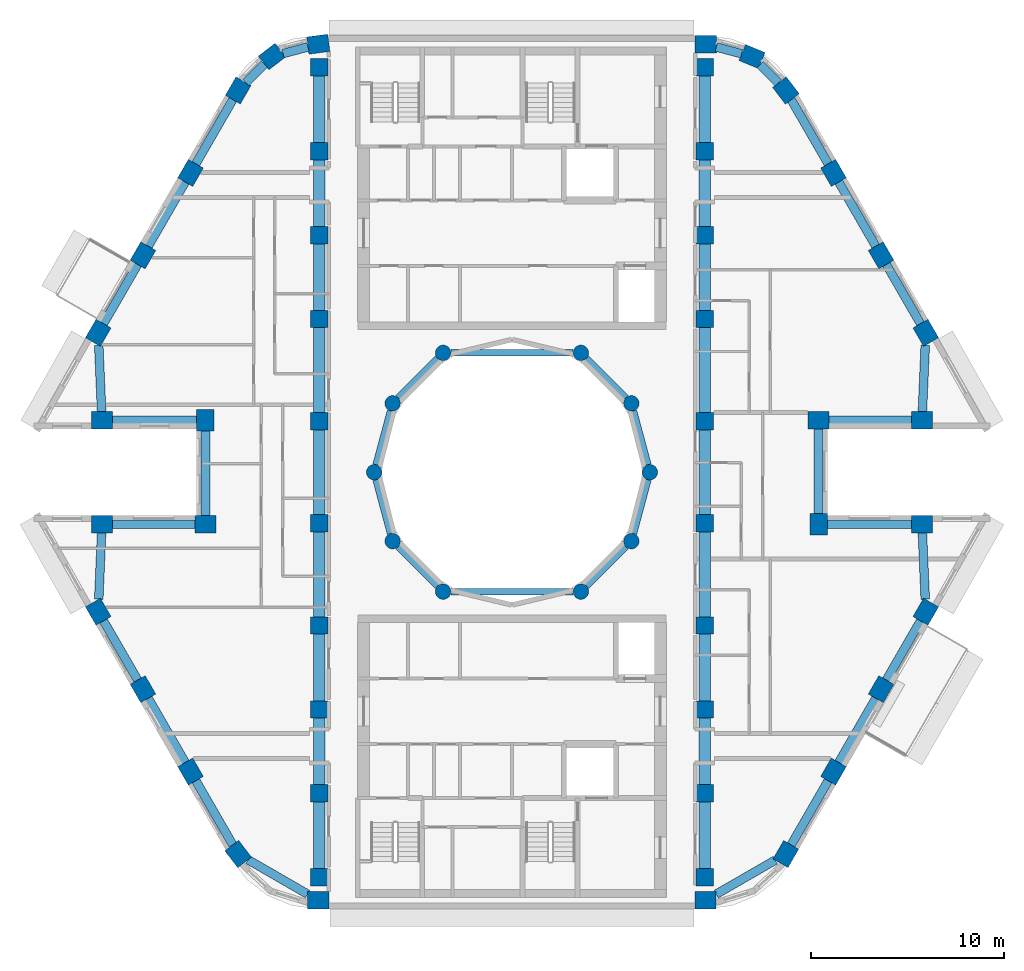
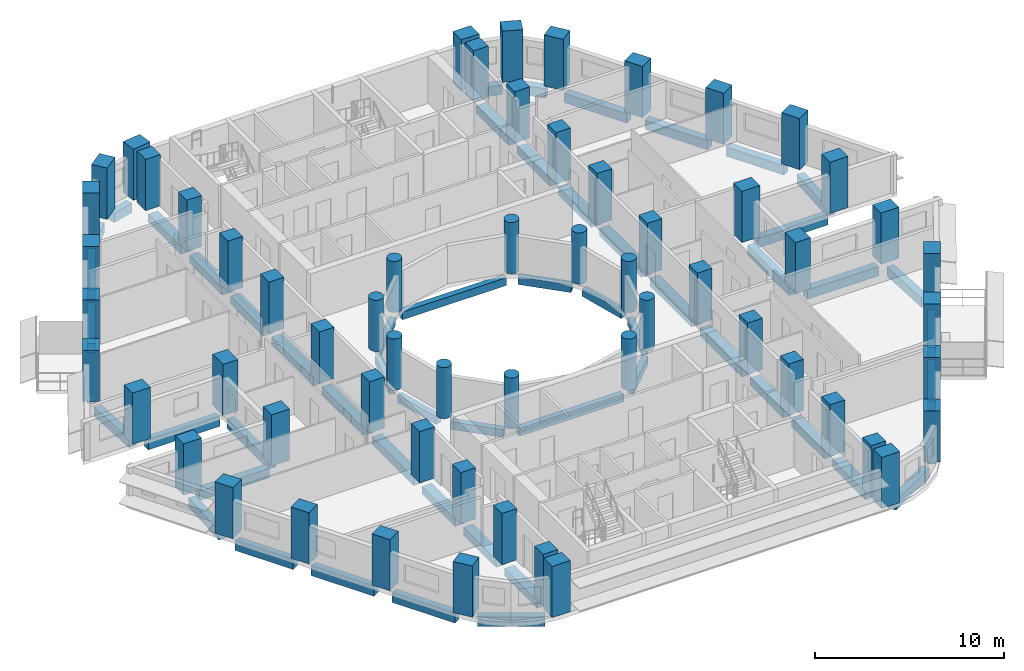
# One storey, part 1 of 14: 60 columns, 56 beams.
"""IFC4 building model written with IfcOpenShell, lengths in metres."""

from ifc_helpers import new_model, si_unit, direction, frame, origin, origin_2d, place, context, subcontext, project, spatial, rectangle, circle, extrude, material, material_profile, profile_set, type_object, element, save


model = new_model("IFC4")

# Units and contexts
model_context = context("Model", 3, precision=1e-05, world=origin(), true_north=direction((0.0, 1.0)))
body_context = subcontext(model_context, "Body", "Model", "MODEL_VIEW")
ifc_project = project(units=[si_unit("LENGTHUNIT", "METRE"), si_unit("AREAUNIT", "SQUARE_METRE"), si_unit("VOLUMEUNIT", "CUBIC_METRE"), si_unit("PLANEANGLEUNIT", "RADIAN"), si_unit("MASSUNIT", "GRAM", prefix="KILO")], contexts=[model_context])

# Site, building, storey
site_placement = place(None, origin())
site = spatial("IfcSite", under=ifc_project, at=site_placement, CompositionType="ELEMENT")
building_placement = place(site_placement, origin())
building = spatial("IfcBuilding", under=site, at=building_placement, Name="Nakaniwa Court", CompositionType="ELEMENT")
storey_placement = place(building_placement, frame((0.0, 0.0, 265.800048828125)))
storey = spatial("IfcBuildingStorey", under=building, at=storey_placement, Name="L70", CompositionType="ELEMENT", Elevation=265.800048828125)

# Columns
ifc_material = material(Name="Concrete C80/100", Category="concrete")
ifc_material_profile_1 = material_profile(ifc_material, rectangle(XDim=1.10009765625, YDim=0.89990234375, at=origin_2d()), Name="Concrete C80/100 RC 1100x900 perimeter column")
ifc_profile_set_1 = profile_set([ifc_material_profile_1], Name="Concrete C80/100")
column_type_1 = type_object("IfcColumnType", Name="Concrete C80/100 RC 1100x900 perimeter column", PredefinedType="COLUMN", material=ifc_profile_set_1)
for number, where, z_axis, x_axis, name in (
    (1, (69.95458984375, 102.199951171875, 0.0), (0.0, 0.0, 1.0), (-0.991442583111, -0.130543496177, 0.0), "COLUMN CO-01"),
    (2, (67.552001953125, 101.560302734375, 0.0), (0.0, 0.0, 1.0), (-0.793363965062, -0.608747582288, 0.0), "COLUMN CO-02"),
    (3, (65.796875, 99.799560546875, 0.0), (0.0, 0.0, 1.0), (-0.5, -0.866025403784, 0.0), "COLUMN CO-03"),
    (4, (63.328857421875, 95.524658203125, 0.0), (0.0, 0.0, 1.0), (-0.5, -0.866025403784, 0.0), "COLUMN CO-04"),
    (5, (60.860595703125, 91.249755859375, 0.0), (0.0, 0.0, 1.0), (-0.5, -0.866025403784, 0.0), "COLUMN CO-05"),
    (6, (58.541015625, 87.232177734375, 0.0), (0.0, 0.0, 1.0), (-0.5, -0.866025403784, 0.0), "COLUMN CO-06"),
    (7, (58.736083984375, 82.699951171875, 0.0), (0.0, 0.0, 1.0), (1.0, 0.0, 0.0), "COLUMN CO-08"),
    (8, (64.1005859375, 82.699951171875, 0.0), (0.0, 0.0, 1.0), (0.0, -1.0, 0.0), "COLUMN CO-09"),
    (9, (64.1005859375, 77.300048828125, 0.0), (0.0, 0.0, 1.0), (-1.0, 0.0, 0.0), "COLUMN CO-10"),
    (10, (58.736083984375, 77.300048828125, 0.0), (0.0, 0.0, 1.0), (-1.0, 0.0, 0.0), "COLUMN CO-11"),
    (11, (58.541015625, 72.767822265625, 0.0), (0.0, 0.0, 1.0), (0.5, -0.866025403784, 0.0), "COLUMN CO-13"),
    (12, (60.860595703125, 68.750244140625, 0.0), (0.0, 0.0, 1.0), (0.5, -0.866025403784, 0.0), "COLUMN CO-14"),
    (13, (63.328857421875, 64.475341796875, 0.0), (0.0, 0.0, 1.0), (0.5, -0.866025403784, 0.0), "COLUMN CO-15"),
    (14, (65.796875, 60.200439453125, 0.0), (0.0, 0.0, 1.0), (0.608761429009, -0.793353340291, 0.0), "COLUMN CO-16"),
    (15, (69.95458984375, 57.800048828125, 0.0), (0.0, 0.0, 1.0), (1.0, 0.0, 0.0), "COLUMN CO-17"),
    (16, (90.03955078125, 57.800048828125, 0.0), (0.0, 0.0, 1.0), (1.0, 0.0, 0.0), "COLUMN CO-21"),
    (17, (94.203125, 60.200439453125, 0.0), (0.0, 0.0, 1.0), (0.5, 0.866025403784, 0.0), "COLUMN CO-22"),
    (18, (96.671142578125, 64.475341796875, 0.0), (0.0, 0.0, 1.0), (0.5, 0.866025403784, 0.0), "COLUMN CO-23"),
    (19, (99.139404296875, 68.750244140625, 0.0), (0.0, 0.0, 1.0), (0.5, 0.866025403784, 0.0), "COLUMN CO-24"),
    (20, (101.458984375, 72.767822265625, 0.0), (0.0, 0.0, 1.0), (0.5, 0.866025403784, 0.0), "COLUMN CO-25"),
    (21, (101.263916015625, 77.300048828125, 0.0), (0.0, 0.0, 1.0), (-1.0, 0.0, 0.0), "COLUMN CO-27"),
    (22, (95.8994140625, 77.300048828125, 0.0), (0.0, 0.0, 1.0), (0.0, 1.0, 0.0), "COLUMN CO-28"),
    (23, (95.8994140625, 82.699951171875, 0.0), (0.0, 0.0, 1.0), (1.0, 0.0, 0.0), "COLUMN CO-29"),
    (24, (101.263916015625, 82.699951171875, 0.0), (0.0, 0.0, 1.0), (1.0, 0.0, 0.0), "COLUMN CO-30"),
    (25, (101.458984375, 87.232177734375, 0.0), (0.0, 0.0, 1.0), (-0.5, 0.866025403784, 0.0), "COLUMN CO-32"),
    (26, (99.139404296875, 91.249755859375, 0.0), (0.0, 0.0, 1.0), (-0.5, 0.866025403784, 0.0), "COLUMN CO-33"),
    (27, (96.671142578125, 95.524658203125, 0.0), (0.0, 0.0, 1.0), (-0.5, 0.866025403784, 0.0), "COLUMN CO-34"),
    (28, (94.203125, 99.799560546875, 0.0), (0.0, 0.0, 1.0), (-0.608761429009, 0.793353340291, 0.0), "COLUMN CO-35"),
    (29, (92.447998046875, 101.560302734375, 0.0), (0.0, 0.0, 1.0), (-0.923879532511, 0.382683432365, 0.0), "COLUMN CO-36"),
    (30, (90.04541015625, 102.199951171875, 0.0), (0.0, 0.0, 1.0), (-1.0, 0.0, 0.0), "COLUMN CO-37"),
):
    element("IfcColumn", number, at=place(storey_placement, frame(where, z_axis=z_axis, x_axis=x_axis)), inside=storey, type_object=column_type_1, Name=name, PredefinedType="COLUMN", context=body_context, shape_type="SweptSolid", body=[
        extrude(rectangle(XDim=1.10009765625, YDim=0.89990234375, at=origin_2d()), origin(), (0.0, 0.0, 1.0), 3.300048828125),
    ])
ifc_material_profile_2 = material_profile(ifc_material, rectangle(XDim=0.89990234375, YDim=0.89990234375, at=origin_2d()), Name="Concrete C80/100 RC 900x900 spine column")
ifc_profile_set_2 = profile_set([ifc_material_profile_2], Name="Concrete C80/100")
column_type_2 = type_object("IfcColumnType", Name="Concrete C80/100 RC 900x900 spine column", PredefinedType="COLUMN", material=ifc_profile_set_2)
for number, where, z_axis, x_axis, name in (
    (31, (90.0, 59.0, 0.0), (0.0, 0.0, 1.0), (0.0, 1.0, 0.0), "COLUMN CS-01"),
    (32, (90.0, 63.35009765625, 0.0), (0.0, 0.0, 1.0), (0.0, 1.0, 0.0), "COLUMN CS-02"),
    (33, (90.0, 67.699951171875, 0.0), (0.0, 0.0, 1.0), (0.0, 1.0, 0.0), "COLUMN CS-03"),
    (34, (90.0, 72.050048828125, 0.0), (0.0, 0.0, 1.0), (0.0, 1.0, 0.0), "COLUMN CS-04"),
    (35, (90.0, 77.35009765625, 0.0), (0.0, 0.0, 1.0), (0.0, 1.0, 0.0), "COLUMN CS-05"),
    (36, (90.0, 82.64990234375, 0.0), (0.0, 0.0, 1.0), (0.0, 1.0, 0.0), "COLUMN CS-06"),
    (37, (90.0, 87.949951171875, 0.0), (0.0, 0.0, 1.0), (0.0, 1.0, 0.0), "COLUMN CS-07"),
    (38, (90.0, 92.300048828125, 0.0), (0.0, 0.0, 1.0), (0.0, 1.0, 0.0), "COLUMN CS-08"),
    (39, (90.0, 96.64990234375, 0.0), (0.0, 0.0, 1.0), (0.0, 1.0, 0.0), "COLUMN CS-09"),
    (40, (90.0, 101.0, 0.0), (0.0, 0.0, 1.0), (0.0, 1.0, 0.0), "COLUMN CS-10"),
    (41, (70.0, 101.0, 0.0), (0.0, 0.0, 1.0), (0.0, -1.0, 0.0), "COLUMN CS-11"),
    (42, (70.0, 96.64990234375, 0.0), (0.0, 0.0, 1.0), (0.0, -1.0, 0.0), "COLUMN CS-12"),
    (43, (70.0, 92.300048828125, 0.0), (0.0, 0.0, 1.0), (0.0, -1.0, 0.0), "COLUMN CS-13"),
    (44, (70.0, 87.949951171875, 0.0), (0.0, 0.0, 1.0), (0.0, -1.0, 0.0), "COLUMN CS-14"),
    (45, (70.0, 82.64990234375, 0.0), (0.0, 0.0, 1.0), (0.0, -1.0, 0.0), "COLUMN CS-15"),
    (46, (70.0, 77.35009765625, 0.0), (0.0, 0.0, 1.0), (0.0, -1.0, 0.0), "COLUMN CS-16"),
    (47, (70.0, 72.050048828125, 0.0), (0.0, 0.0, 1.0), (0.0, -1.0, 0.0), "COLUMN CS-17"),
    (48, (70.0, 67.699951171875, 0.0), (0.0, 0.0, 1.0), (0.0, -1.0, 0.0), "COLUMN CS-18"),
    (49, (70.0, 63.35009765625, 0.0), (0.0, 0.0, 1.0), (0.0, -1.0, 0.0), "COLUMN CS-19"),
    (50, (70.0, 59.0, 0.0), (0.0, 0.0, 1.0), (0.0, -1.0, 0.0), "COLUMN CS-20"),
):
    element("IfcColumn", number, at=place(storey_placement, frame(where, z_axis=z_axis, x_axis=x_axis)), inside=storey, type_object=column_type_2, Name=name, PredefinedType="COLUMN", context=body_context, shape_type="SweptSolid", body=[
        extrude(rectangle(XDim=0.89990234375, YDim=0.89990234375, at=origin_2d()), origin(), (0.0, 0.0, 1.0), 3.300048828125),
    ])
ifc_material_profile_3 = material_profile(ifc_material, circle(Radius=0.39990234375, at=origin_2d()), Name="Concrete C80/100 RC D800 inner ring column")
ifc_profile_set_3 = profile_set([ifc_material_profile_3], Name="Concrete C80/100")
column_type_3 = type_object("IfcColumnType", Name="Concrete C80/100 RC D800 inner ring column", PredefinedType="COLUMN", material=ifc_profile_set_3)
for number, where, z_axis, x_axis, name in (
    (51, (87.14990234375, 80.0, 0.0), (0.0, 0.0, 1.0), (0.0, 1.0, 0.0), "COLUMN CI-01"),
    (52, (86.192138671875, 83.574951171875, 0.0), (0.0, 0.0, 1.0), (-0.5, 0.866025403784, 0.0), "COLUMN CI-02"),
    (53, (83.574951171875, 86.192138671875, 0.0), (0.0, 0.0, 1.0), (-0.866025403784, 0.5, 0.0), "COLUMN CI-03"),
    (54, (76.425048828125, 86.192138671875, 0.0), (0.0, 0.0, 1.0), (-0.866025403784, -0.5, 0.0), "COLUMN CI-05"),
    (55, (73.807861328125, 83.574951171875, 0.0), (0.0, 0.0, 1.0), (-0.5, -0.866025403784, 0.0), "COLUMN CI-06"),
    (56, (72.85009765625, 80.0, 0.0), (0.0, 0.0, 1.0), (0.0, -1.0, 0.0), "COLUMN CI-07"),
    (57, (73.807861328125, 76.425048828125, 0.0), (0.0, 0.0, 1.0), (0.5, -0.866025403784, 0.0), "COLUMN CI-08"),
    (58, (76.425048828125, 73.807861328125, 0.0), (0.0, 0.0, 1.0), (0.866025403784, -0.5, 0.0), "COLUMN CI-09"),
    (59, (83.574951171875, 73.807861328125, 0.0), (0.0, 0.0, 1.0), (0.866025403784, 0.5, 0.0), "COLUMN CI-11"),
    (60, (86.192138671875, 76.425048828125, 0.0), (0.0, 0.0, 1.0), (0.5, 0.866025403784, 0.0), "COLUMN CI-12"),
):
    element("IfcColumn", number, at=place(storey_placement, frame(where, z_axis=z_axis, x_axis=x_axis)), inside=storey, type_object=column_type_3, Name=name, PredefinedType="COLUMN", context=body_context, shape_type="SweptSolid", body=[
        extrude(circle(Radius=0.39990234375, at=origin_2d()), origin(), (0.0, 0.0, 1.0), 3.300048828125),
    ])

# Beams
ifc_material_profile_4 = material_profile(ifc_material, rectangle(XDim=0.35009765625, YDim=0.5, at=origin_2d()), Name="Concrete C80/100 RC 350x500 ring beam")
ifc_profile_set_4 = profile_set([ifc_material_profile_4], Name="Concrete C80/100")
beam_type_1 = type_object("IfcBeamType", Name="Concrete C80/100 RC 350x500 ring beam", PredefinedType="BEAM", material=ifc_profile_set_4)
beam_1_placement = place(storey_placement, frame((87.04638671875, 80.386474609375, -0.525146484375), z_axis=(-0.258778150207, 0.965936783115, 0.0), x_axis=(-0.965936783115, -0.258778150207, 0.0)))
element("IfcBeam", 61, at=beam_1_placement, inside=storey, type_object=beam_type_1, Name="RING BEAM", PredefinedType="BEAM", context=body_context, shape_type="SweptSolid", body=[
    extrude(rectangle(XDim=0.35009765625, YDim=0.5, at=origin_2d()), origin(), (0.0, 0.0, 1.0), 2.901123046875),
])
beam_2_placement = place(storey_placement, frame((85.9091796875, 83.85791015625, -0.525146484375), z_axis=(-0.707106781187, 0.707106781187, 0.0), x_axis=(-0.707106781187, -0.707106781187, 0.0)))
element("IfcBeam", 62, at=beam_2_placement, inside=storey, type_object=beam_type_1, Name="RING BEAM", PredefinedType="BEAM", context=body_context, shape_type="SweptSolid", body=[
    extrude(rectangle(XDim=0.35009765625, YDim=0.5, at=origin_2d()), origin(), (0.0, 0.0, 1.0), 2.90087890625),
])
beam_3_placement = place(storey_placement, frame((83.175048828125, 86.192138671875, -0.525146484375), z_axis=(-1.0, 0.0, 0.0), x_axis=(0.0, -1.0, 0.0)))
element("IfcBeam", 63, at=beam_3_placement, inside=storey, type_object=beam_type_1, Name="RING BEAM", PredefinedType="BEAM", context=body_context, shape_type="SweptSolid", body=[
    extrude(rectangle(XDim=0.35009765625, YDim=0.5, at=origin_2d()), origin(), (0.0, 0.0, 1.0), 6.35009765625),
])
beam_4_placement = place(storey_placement, frame((76.14208984375, 85.9091796875, -0.525146484375), z_axis=(-0.707106781187, -0.707106781187, 0.0), x_axis=(0.707106781187, -0.707106781187, 0.0)))
element("IfcBeam", 64, at=beam_4_placement, inside=storey, type_object=beam_type_1, Name="RING BEAM", PredefinedType="BEAM", context=body_context, shape_type="SweptSolid", body=[
    extrude(rectangle(XDim=0.35009765625, YDim=0.5, at=origin_2d()), origin(), (0.0, 0.0, 1.0), 2.90087890625),
])
for number, where, z_axis, x_axis, name in (
    (65, (73.704345703125, 83.188720703125, -0.525146484375), (-0.258778150207, -0.965936783115, 0.0), (0.965936783115, -0.258778150207, 0.0), "RING BEAM"),
    (66, (72.95361328125, 79.613525390625, -0.525146484375), (0.258778150207, -0.965936783115, 0.0), (0.965936783115, 0.258778150207, 0.0), "RING BEAM"),
):
    element("IfcBeam", number, at=place(storey_placement, frame(where, z_axis=z_axis, x_axis=x_axis)), inside=storey, type_object=beam_type_1, Name=name, PredefinedType="BEAM", context=body_context, shape_type="SweptSolid", body=[
        extrude(rectangle(XDim=0.35009765625, YDim=0.5, at=origin_2d()), origin(), (0.0, 0.0, 1.0), 2.901123046875),
    ])
beam_5_placement = place(storey_placement, frame((74.0908203125, 76.14208984375, -0.525146484375), z_axis=(0.707106781187, -0.707106781187, 0.0), x_axis=(0.707106781187, 0.707106781187, 0.0)))
element("IfcBeam", 67, at=beam_5_placement, inside=storey, type_object=beam_type_1, Name="RING BEAM", PredefinedType="BEAM", context=body_context, shape_type="SweptSolid", body=[
    extrude(rectangle(XDim=0.35009765625, YDim=0.5, at=origin_2d()), origin(), (0.0, 0.0, 1.0), 2.90087890625),
])
beam_6_placement = place(storey_placement, frame((76.824951171875, 73.807861328125, -0.525146484375), z_axis=(1.0, 0.0, 0.0), x_axis=(0.0, 1.0, 0.0)))
element("IfcBeam", 68, at=beam_6_placement, inside=storey, type_object=beam_type_1, Name="RING BEAM", PredefinedType="BEAM", context=body_context, shape_type="SweptSolid", body=[
    extrude(rectangle(XDim=0.35009765625, YDim=0.5, at=origin_2d()), origin(), (0.0, 0.0, 1.0), 6.35009765625),
])
beam_7_placement = place(storey_placement, frame((83.85791015625, 74.0908203125, -0.525146484375), z_axis=(0.707106781187, 0.707106781187, 0.0), x_axis=(-0.707106781187, 0.707106781187, 0.0)))
element("IfcBeam", 69, at=beam_7_placement, inside=storey, type_object=beam_type_1, Name="RING BEAM", PredefinedType="BEAM", context=body_context, shape_type="SweptSolid", body=[
    extrude(rectangle(XDim=0.35009765625, YDim=0.5, at=origin_2d()), origin(), (0.0, 0.0, 1.0), 2.90087890625),
])
beam_8_placement = place(storey_placement, frame((86.295654296875, 76.811279296875, -0.525146484375), z_axis=(0.258778150207, 0.965936783115, 0.0), x_axis=(-0.965936783115, 0.258778150207, 0.0)))
element("IfcBeam", 70, at=beam_8_placement, inside=storey, type_object=beam_type_1, Name="RING BEAM", PredefinedType="BEAM", context=body_context, shape_type="SweptSolid", body=[
    extrude(rectangle(XDim=0.35009765625, YDim=0.5, at=origin_2d()), origin(), (0.0, 0.0, 1.0), 2.901123046875),
])
ifc_material_profile_5 = material_profile(ifc_material, rectangle(XDim=0.449951171875, YDim=0.60009765625, at=origin_2d()), Name="Concrete C80/100 RC 450x600 spandrel beam")
ifc_profile_set_5 = profile_set([ifc_material_profile_5], Name="Concrete C80/100")
beam_type_2 = type_object("IfcBeamType", Name="Concrete C80/100 RC 450x600 spandrel beam", PredefinedType="BEAM", material=ifc_profile_set_5)
beam_9_placement = place(storey_placement, frame((69.418701171875, 102.057373046875, -0.574951171875), z_axis=(-0.966286479475, -0.257469298332, 0.0), x_axis=(0.257469298332, -0.966286479475, 0.0)))
element("IfcBeam", 71, at=beam_9_placement, inside=storey, type_object=beam_type_2, Name="SPANDREL BEAM", PredefinedType="BEAM", context=body_context, shape_type="SweptSolid", body=[
    extrude(rectangle(XDim=0.449951171875, YDim=0.60009765625, at=origin_2d()), origin(), (0.0, 0.0, 1.0), 1.3359375),
])
beam_10_placement = place(storey_placement, frame((67.160400390625, 101.167236328125, -0.574951171875), z_axis=(-0.706030517025, -0.708181409689, 0.0), x_axis=(0.708181409689, -0.706030517025, 0.0)))
element("IfcBeam", 72, at=beam_10_placement, inside=storey, type_object=beam_type_2, Name="SPANDREL BEAM", PredefinedType="BEAM", context=body_context, shape_type="SweptSolid", body=[
    extrude(rectangle(XDim=0.449951171875, YDim=0.60009765625, at=origin_2d()), origin(), (0.0, 0.0, 1.0), 1.362060546875),
])
for number, where, z_axis, x_axis, name in (
    (73, (65.52197265625, 99.3232421875, -0.574951171875), (-0.50001992892, -0.866013897511, 0.0), (0.866013897511, -0.50001992892, 0.0), "SPANDREL BEAM"),
    (74, (63.0537109375, 95.04833984375, -0.574951171875), (-0.499972197867, -0.866041454758, 0.0), (0.866041454758, -0.499972197867, 0.0), "SPANDREL BEAM"),
):
    element("IfcBeam", number, at=place(storey_placement, frame(where, z_axis=z_axis, x_axis=x_axis)), inside=storey, type_object=beam_type_2, Name=name, PredefinedType="BEAM", context=body_context, shape_type="SweptSolid", body=[
        extrude(rectangle(XDim=0.449951171875, YDim=0.60009765625, at=origin_2d()), origin(), (0.0, 0.0, 1.0), 3.836181640625),
    ])
beam_11_placement = place(storey_placement, frame((60.585693359375, 90.7734375, -0.574951171875), z_axis=(-0.499997139945, -0.866027055032, 0.0), x_axis=(0.866027055032, -0.499997139945, 0.0)))
element("IfcBeam", 75, at=beam_11_placement, inside=storey, type_object=beam_type_2, Name="SPANDREL BEAM", PredefinedType="BEAM", context=body_context, shape_type="SweptSolid", body=[
    extrude(rectangle(XDim=0.449951171875, YDim=0.60009765625, at=origin_2d()), origin(), (0.0, 0.0, 1.0), 3.5390625),
])
beam_12_placement = place(storey_placement, frame((58.569091796875, 86.580810546875, -0.574951171875), z_axis=(0.042940503042, -0.999077631217, 0.0), x_axis=(0.999077631217, 0.042940503042, 0.0)))
element("IfcBeam", 76, at=beam_12_placement, inside=storey, type_object=beam_type_2, Name="SPANDREL BEAM", PredefinedType="BEAM", context=body_context, shape_type="SweptSolid", body=[
    extrude(rectangle(XDim=0.449951171875, YDim=0.60009765625, at=origin_2d()), origin(), (0.0, 0.0, 1.0), 3.43408203125),
])
beam_13_placement = place(storey_placement, frame((59.285888671875, 82.699951171875, -0.574951171875), z_axis=(1.0, 0.0, 0.0), x_axis=(0.0, 1.0, 0.0)))
element("IfcBeam", 77, at=beam_13_placement, inside=storey, type_object=beam_type_2, Name="SPANDREL BEAM", PredefinedType="BEAM", context=body_context, shape_type="SweptSolid", body=[
    extrude(rectangle(XDim=0.449951171875, YDim=0.60009765625, at=origin_2d()), origin(), (0.0, 0.0, 1.0), 4.364501953125),
])
beam_14_placement = place(storey_placement, frame((64.1005859375, 82.14990234375, -0.574951171875), z_axis=(0.0, -1.0, 0.0), x_axis=(1.0, 0.0, 0.0)))
element("IfcBeam", 78, at=beam_14_placement, inside=storey, type_object=beam_type_2, Name="SPANDREL BEAM", PredefinedType="BEAM", context=body_context, shape_type="SweptSolid", body=[
    extrude(rectangle(XDim=0.449951171875, YDim=0.60009765625, at=origin_2d()), origin(), (0.0, 0.0, 1.0), 4.39990234375),
])
beam_15_placement = place(storey_placement, frame((63.550537109375, 77.300048828125, -0.574951171875), z_axis=(-1.0, 0.0, 0.0), x_axis=(0.0, -1.0, 0.0)))
element("IfcBeam", 79, at=beam_15_placement, inside=storey, type_object=beam_type_2, Name="SPANDREL BEAM", PredefinedType="BEAM", context=body_context, shape_type="SweptSolid", body=[
    extrude(rectangle(XDim=0.449951171875, YDim=0.60009765625, at=origin_2d()), origin(), (0.0, 0.0, 1.0), 4.2646484375),
])
beam_16_placement = place(storey_placement, frame((58.716552734375, 76.85009765625, -0.574951171875), z_axis=(-0.042940503042, -0.999077631217, 0.0), x_axis=(0.999077631217, -0.042940503042, 0.0)))
element("IfcBeam", 80, at=beam_16_placement, inside=storey, type_object=beam_type_2, Name="SPANDREL BEAM", PredefinedType="BEAM", context=body_context, shape_type="SweptSolid", body=[
    extrude(rectangle(XDim=0.449951171875, YDim=0.60009765625, at=origin_2d()), origin(), (0.0, 0.0, 1.0), 3.43408203125),
])
beam_17_placement = place(storey_placement, frame((58.816162109375, 72.29150390625, -0.574951171875), z_axis=(0.499997139945, -0.866027055032, 0.0), x_axis=(0.866027055032, 0.499997139945, 0.0)))
element("IfcBeam", 81, at=beam_17_placement, inside=storey, type_object=beam_type_2, Name="SPANDREL BEAM", PredefinedType="BEAM", context=body_context, shape_type="SweptSolid", body=[
    extrude(rectangle(XDim=0.449951171875, YDim=0.60009765625, at=origin_2d()), origin(), (0.0, 0.0, 1.0), 3.5390625),
])
beam_18_placement = place(storey_placement, frame((61.1357421875, 68.27392578125, -0.574951171875), z_axis=(0.499972197867, -0.866041454758, 0.0), x_axis=(0.866041454758, 0.499972197867, 0.0)))
element("IfcBeam", 82, at=beam_18_placement, inside=storey, type_object=beam_type_2, Name="SPANDREL BEAM", PredefinedType="BEAM", context=body_context, shape_type="SweptSolid", body=[
    extrude(rectangle(XDim=0.449951171875, YDim=0.60009765625, at=origin_2d()), origin(), (0.0, 0.0, 1.0), 3.836181640625),
])
beam_19_placement = place(storey_placement, frame((63.603759765625, 63.9990234375, -0.574951171875), z_axis=(0.500011110731, -0.866018988906, 0.0), x_axis=(0.866018988906, 0.500011110731, 0.0)))
element("IfcBeam", 83, at=beam_19_placement, inside=storey, type_object=beam_type_2, Name="SPANDREL BEAM", PredefinedType="BEAM", context=body_context, shape_type="SweptSolid", body=[
    extrude(rectangle(XDim=0.449951171875, YDim=0.60009765625, at=origin_2d()), origin(), (0.0, 0.0, 1.0), 3.83154296875),
])
beam_20_placement = place(storey_placement, frame((66.3125, 59.90283203125, -0.574951171875), z_axis=(0.866017069707, -0.500014434768, 0.0), x_axis=(0.500014434768, 0.866017069707, 0.0)))
element("IfcBeam", 84, at=beam_20_placement, inside=storey, type_object=beam_type_2, Name="SPANDREL BEAM", PredefinedType="BEAM", context=body_context, shape_type="SweptSolid", body=[
    extrude(rectangle(XDim=0.449951171875, YDim=0.60009765625, at=origin_2d()), origin(), (0.0, 0.0, 1.0), 3.57080078125),
])
beam_21_placement = place(storey_placement, frame((90.589599609375, 58.1171875, -0.574951171875), z_axis=(0.866307414098, 0.499511225378, 0.0), x_axis=(-0.499511225378, 0.866307414098, 0.0)))
element("IfcBeam", 85, at=beam_21_placement, inside=storey, type_object=beam_type_2, Name="SPANDREL BEAM", PredefinedType="BEAM", context=body_context, shape_type="SweptSolid", body=[
    extrude(rectangle(XDim=0.449951171875, YDim=0.60009765625, at=origin_2d()), origin(), (0.0, 0.0, 1.0), 3.53564453125),
])
for number, where, z_axis, x_axis, name in (
    (86, (94.47802734375, 60.6767578125, -0.574951171875), (0.50001992892, 0.866013897511, 0.0), (-0.866013897511, 0.50001992892, 0.0), "SPANDREL BEAM"),
    (87, (96.9462890625, 64.95166015625, -0.574951171875), (0.499972197867, 0.866041454758, 0.0), (-0.866041454758, 0.499972197867, 0.0), "SPANDREL BEAM"),
):
    element("IfcBeam", number, at=place(storey_placement, frame(where, z_axis=z_axis, x_axis=x_axis)), inside=storey, type_object=beam_type_2, Name=name, PredefinedType="BEAM", context=body_context, shape_type="SweptSolid", body=[
        extrude(rectangle(XDim=0.449951171875, YDim=0.60009765625, at=origin_2d()), origin(), (0.0, 0.0, 1.0), 3.836181640625),
    ])
beam_22_placement = place(storey_placement, frame((99.414306640625, 69.2265625, -0.574951171875), z_axis=(0.499997139945, 0.866027055032, 0.0), x_axis=(-0.866027055032, 0.499997139945, 0.0)))
element("IfcBeam", 88, at=beam_22_placement, inside=storey, type_object=beam_type_2, Name="SPANDREL BEAM", PredefinedType="BEAM", context=body_context, shape_type="SweptSolid", body=[
    extrude(rectangle(XDim=0.449951171875, YDim=0.60009765625, at=origin_2d()), origin(), (0.0, 0.0, 1.0), 3.5390625),
])
beam_23_placement = place(storey_placement, frame((101.430908203125, 73.419189453125, -0.574951171875), z_axis=(-0.042940503042, 0.999077631217, 0.0), x_axis=(-0.999077631217, -0.042940503042, 0.0)))
element("IfcBeam", 89, at=beam_23_placement, inside=storey, type_object=beam_type_2, Name="SPANDREL BEAM", PredefinedType="BEAM", context=body_context, shape_type="SweptSolid", body=[
    extrude(rectangle(XDim=0.449951171875, YDim=0.60009765625, at=origin_2d()), origin(), (0.0, 0.0, 1.0), 3.43408203125),
])
beam_24_placement = place(storey_placement, frame((100.714111328125, 77.300048828125, -0.574951171875), z_axis=(-1.0, 0.0, 0.0), x_axis=(0.0, -1.0, 0.0)))
element("IfcBeam", 90, at=beam_24_placement, inside=storey, type_object=beam_type_2, Name="SPANDREL BEAM", PredefinedType="BEAM", context=body_context, shape_type="SweptSolid", body=[
    extrude(rectangle(XDim=0.449951171875, YDim=0.60009765625, at=origin_2d()), origin(), (0.0, 0.0, 1.0), 4.364501953125),
])
beam_25_placement = place(storey_placement, frame((95.8994140625, 77.85009765625, -0.574951171875), z_axis=(0.0, 1.0, 0.0), x_axis=(-1.0, 0.0, 0.0)))
element("IfcBeam", 91, at=beam_25_placement, inside=storey, type_object=beam_type_2, Name="SPANDREL BEAM", PredefinedType="BEAM", context=body_context, shape_type="SweptSolid", body=[
    extrude(rectangle(XDim=0.449951171875, YDim=0.60009765625, at=origin_2d()), origin(), (0.0, 0.0, 1.0), 4.39990234375),
])
beam_26_placement = place(storey_placement, frame((96.449462890625, 82.699951171875, -0.574951171875), z_axis=(1.0, 0.0, 0.0), x_axis=(0.0, 1.0, 0.0)))
element("IfcBeam", 92, at=beam_26_placement, inside=storey, type_object=beam_type_2, Name="SPANDREL BEAM", PredefinedType="BEAM", context=body_context, shape_type="SweptSolid", body=[
    extrude(rectangle(XDim=0.449951171875, YDim=0.60009765625, at=origin_2d()), origin(), (0.0, 0.0, 1.0), 4.2646484375),
])
beam_27_placement = place(storey_placement, frame((101.283447265625, 83.14990234375, -0.574951171875), z_axis=(0.042940503042, 0.999077631217, 0.0), x_axis=(-0.999077631217, 0.042940503042, 0.0)))
element("IfcBeam", 93, at=beam_27_placement, inside=storey, type_object=beam_type_2, Name="SPANDREL BEAM", PredefinedType="BEAM", context=body_context, shape_type="SweptSolid", body=[
    extrude(rectangle(XDim=0.449951171875, YDim=0.60009765625, at=origin_2d()), origin(), (0.0, 0.0, 1.0), 3.43408203125),
])
beam_28_placement = place(storey_placement, frame((101.183837890625, 87.70849609375, -0.574951171875), z_axis=(-0.499997139945, 0.866027055032, 0.0), x_axis=(-0.866027055032, -0.499997139945, 0.0)))
element("IfcBeam", 94, at=beam_28_placement, inside=storey, type_object=beam_type_2, Name="SPANDREL BEAM", PredefinedType="BEAM", context=body_context, shape_type="SweptSolid", body=[
    extrude(rectangle(XDim=0.449951171875, YDim=0.60009765625, at=origin_2d()), origin(), (0.0, 0.0, 1.0), 3.5390625),
])
beam_29_placement = place(storey_placement, frame((98.8642578125, 91.72607421875, -0.574951171875), z_axis=(-0.499972197867, 0.866041454758, 0.0), x_axis=(-0.866041454758, -0.499972197867, 0.0)))
element("IfcBeam", 95, at=beam_29_placement, inside=storey, type_object=beam_type_2, Name="SPANDREL BEAM", PredefinedType="BEAM", context=body_context, shape_type="SweptSolid", body=[
    extrude(rectangle(XDim=0.449951171875, YDim=0.60009765625, at=origin_2d()), origin(), (0.0, 0.0, 1.0), 3.836181640625),
])
beam_30_placement = place(storey_placement, frame((96.396240234375, 96.0009765625, -0.574951171875), z_axis=(-0.500011110731, 0.866018988906, 0.0), x_axis=(-0.866018988906, -0.500011110731, 0.0)))
element("IfcBeam", 96, at=beam_30_placement, inside=storey, type_object=beam_type_2, Name="SPANDREL BEAM", PredefinedType="BEAM", context=body_context, shape_type="SweptSolid", body=[
    extrude(rectangle(XDim=0.449951171875, YDim=0.60009765625, at=origin_2d()), origin(), (0.0, 0.0, 1.0), 3.83154296875),
])
beam_31_placement = place(storey_placement, frame((93.8115234375, 100.1923828125, -0.574951171875), z_axis=(-0.706100745773, 0.708111387296, 0.0), x_axis=(-0.708111387296, -0.706100745773, 0.0)))
element("IfcBeam", 97, at=beam_31_placement, inside=storey, type_object=beam_type_2, Name="SPANDREL BEAM", PredefinedType="BEAM", context=body_context, shape_type="SweptSolid", body=[
    extrude(rectangle(XDim=0.449951171875, YDim=0.60009765625, at=origin_2d()), origin(), (0.0, 0.0, 1.0), 1.335693359375),
])
beam_32_placement = place(storey_placement, frame((91.91162109375, 101.702880859375, -0.574951171875), z_axis=(-0.966318174979, 0.257350315146, 0.0), x_axis=(-0.257350315146, -0.966318174979, 0.0)))
element("IfcBeam", 98, at=beam_32_placement, inside=storey, type_object=beam_type_2, Name="SPANDREL BEAM", PredefinedType="BEAM", context=body_context, shape_type="SweptSolid", body=[
    extrude(rectangle(XDim=0.449951171875, YDim=0.60009765625, at=origin_2d()), origin(), (0.0, 0.0, 1.0), 1.3623046875),
])
ifc_material_profile_6 = material_profile(ifc_material, rectangle(XDim=0.60009765625, YDim=0.5, at=origin_2d()), Name="Concrete C80/100 RC 600x500 ring beam")
ifc_profile_set_6 = profile_set([ifc_material_profile_6], Name="Concrete C80/100")
beam_type_3 = type_object("IfcBeamType", Name="Concrete C80/100 RC 600x500 ring beam", PredefinedType="BEAM", material=ifc_profile_set_6)
for number, where, z_axis, x_axis, name in (
    (99, (90.0, 59.449951171875, -0.525146484375), (0.0, 1.0, 0.0), (-1.0, 0.0, 0.0), "RING BEAM"),
    (100, (90.0, 63.800048828125, -0.525146484375), (0.0, 1.0, 0.0), (-1.0, 0.0, 0.0), "RING BEAM"),
):
    element("IfcBeam", number, at=place(storey_placement, frame(where, z_axis=z_axis, x_axis=x_axis)), inside=storey, type_object=beam_type_3, Name=name, PredefinedType="BEAM", context=body_context, shape_type="SweptSolid", body=[
        extrude(rectangle(XDim=0.60009765625, YDim=0.5, at=origin_2d()), origin(), (0.0, 0.0, 1.0), 3.449951171875),
    ])
beam_33_placement = place(storey_placement, frame((90.0, 68.14990234375, -0.525146484375), z_axis=(0.0, 1.0, 0.0), x_axis=(-1.0, 0.0, 0.0)))
element("IfcBeam", 101, at=beam_33_placement, inside=storey, type_object=beam_type_3, Name="RING BEAM", PredefinedType="BEAM", context=body_context, shape_type="SweptSolid", body=[
    extrude(rectangle(XDim=0.60009765625, YDim=0.5, at=origin_2d()), origin(), (0.0, 0.0, 1.0), 3.4501953125),
])
for number, where, z_axis, x_axis, name in (
    (102, (90.0, 72.5, -0.525146484375), (0.0, 1.0, 0.0), (-1.0, 0.0, 0.0), "RING BEAM"),
    (103, (90.0, 77.800048828125, -0.525146484375), (0.0, 1.0, 0.0), (-1.0, 0.0, 0.0), "RING BEAM"),
    (104, (90.0, 83.10009765625, -0.525146484375), (0.0, 1.0, 0.0), (-1.0, 0.0, 0.0), "RING BEAM"),
):
    element("IfcBeam", number, at=place(storey_placement, frame(where, z_axis=z_axis, x_axis=x_axis)), inside=storey, type_object=beam_type_3, Name=name, PredefinedType="BEAM", context=body_context, shape_type="SweptSolid", body=[
        extrude(rectangle(XDim=0.60009765625, YDim=0.5, at=origin_2d()), origin(), (0.0, 0.0, 1.0), 4.39990234375),
    ])
beam_34_placement = place(storey_placement, frame((90.0, 88.39990234375, -0.525146484375), z_axis=(0.0, 1.0, 0.0), x_axis=(-1.0, 0.0, 0.0)))
element("IfcBeam", 105, at=beam_34_placement, inside=storey, type_object=beam_type_3, Name="RING BEAM", PredefinedType="BEAM", context=body_context, shape_type="SweptSolid", body=[
    extrude(rectangle(XDim=0.60009765625, YDim=0.5, at=origin_2d()), origin(), (0.0, 0.0, 1.0), 3.4501953125),
])
for number, where, z_axis, x_axis, name in (
    (106, (90.0, 92.75, -0.525146484375), (0.0, 1.0, 0.0), (-1.0, 0.0, 0.0), "RING BEAM"),
    (107, (90.0, 97.10009765625, -0.525146484375), (0.0, 1.0, 0.0), (-1.0, 0.0, 0.0), "RING BEAM"),
    (108, (70.0, 100.550048828125, -0.525146484375), (0.0, -1.0, 0.0), (1.0, 0.0, 0.0), "RING BEAM"),
    (109, (70.0, 96.199951171875, -0.525146484375), (0.0, -1.0, 0.0), (1.0, 0.0, 0.0), "RING BEAM"),
):
    element("IfcBeam", number, at=place(storey_placement, frame(where, z_axis=z_axis, x_axis=x_axis)), inside=storey, type_object=beam_type_3, Name=name, PredefinedType="BEAM", context=body_context, shape_type="SweptSolid", body=[
        extrude(rectangle(XDim=0.60009765625, YDim=0.5, at=origin_2d()), origin(), (0.0, 0.0, 1.0), 3.449951171875),
    ])
beam_35_placement = place(storey_placement, frame((70.0, 91.85009765625, -0.525146484375), z_axis=(0.0, -1.0, 0.0), x_axis=(1.0, 0.0, 0.0)))
element("IfcBeam", 110, at=beam_35_placement, inside=storey, type_object=beam_type_3, Name="RING BEAM", PredefinedType="BEAM", context=body_context, shape_type="SweptSolid", body=[
    extrude(rectangle(XDim=0.60009765625, YDim=0.5, at=origin_2d()), origin(), (0.0, 0.0, 1.0), 3.4501953125),
])
for number, where, z_axis, x_axis, name in (
    (111, (70.0, 87.5, -0.525146484375), (0.0, -1.0, 0.0), (1.0, 0.0, 0.0), "RING BEAM"),
    (112, (70.0, 82.199951171875, -0.525146484375), (0.0, -1.0, 0.0), (1.0, 0.0, 0.0), "RING BEAM"),
    (113, (70.0, 76.89990234375, -0.525146484375), (0.0, -1.0, 0.0), (1.0, 0.0, 0.0), "RING BEAM"),
):
    element("IfcBeam", number, at=place(storey_placement, frame(where, z_axis=z_axis, x_axis=x_axis)), inside=storey, type_object=beam_type_3, Name=name, PredefinedType="BEAM", context=body_context, shape_type="SweptSolid", body=[
        extrude(rectangle(XDim=0.60009765625, YDim=0.5, at=origin_2d()), origin(), (0.0, 0.0, 1.0), 4.39990234375),
    ])
beam_36_placement = place(storey_placement, frame((70.0, 71.60009765625, -0.525146484375), z_axis=(0.0, -1.0, 0.0), x_axis=(1.0, 0.0, 0.0)))
element("IfcBeam", 114, at=beam_36_placement, inside=storey, type_object=beam_type_3, Name="RING BEAM", PredefinedType="BEAM", context=body_context, shape_type="SweptSolid", body=[
    extrude(rectangle(XDim=0.60009765625, YDim=0.5, at=origin_2d()), origin(), (0.0, 0.0, 1.0), 3.4501953125),
])
for number, where, z_axis, x_axis, name in (
    (115, (70.0, 67.25, -0.525146484375), (0.0, -1.0, 0.0), (1.0, 0.0, 0.0), "RING BEAM"),
    (116, (70.0, 62.89990234375, -0.525146484375), (0.0, -1.0, 0.0), (1.0, 0.0, 0.0), "RING BEAM"),
):
    element("IfcBeam", number, at=place(storey_placement, frame(where, z_axis=z_axis, x_axis=x_axis)), inside=storey, type_object=beam_type_3, Name=name, PredefinedType="BEAM", context=body_context, shape_type="SweptSolid", body=[
        extrude(rectangle(XDim=0.60009765625, YDim=0.5, at=origin_2d()), origin(), (0.0, 0.0, 1.0), 3.449951171875),
    ])

save(model, "model.ifc")
